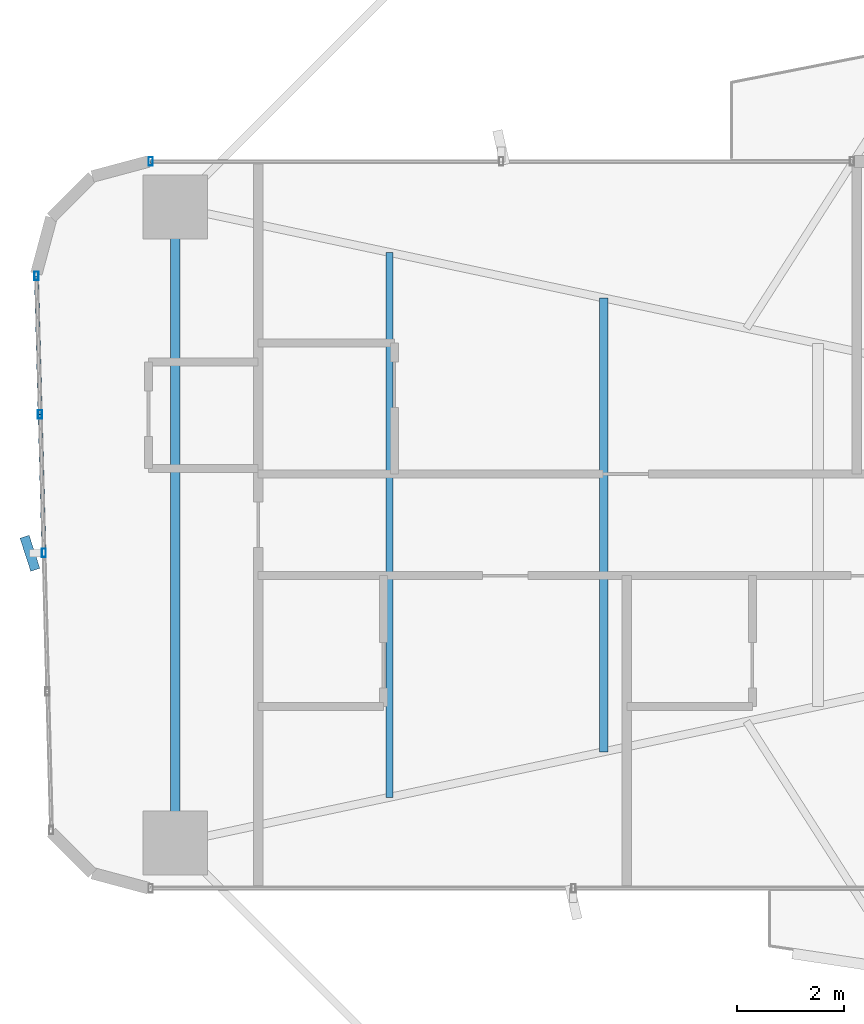
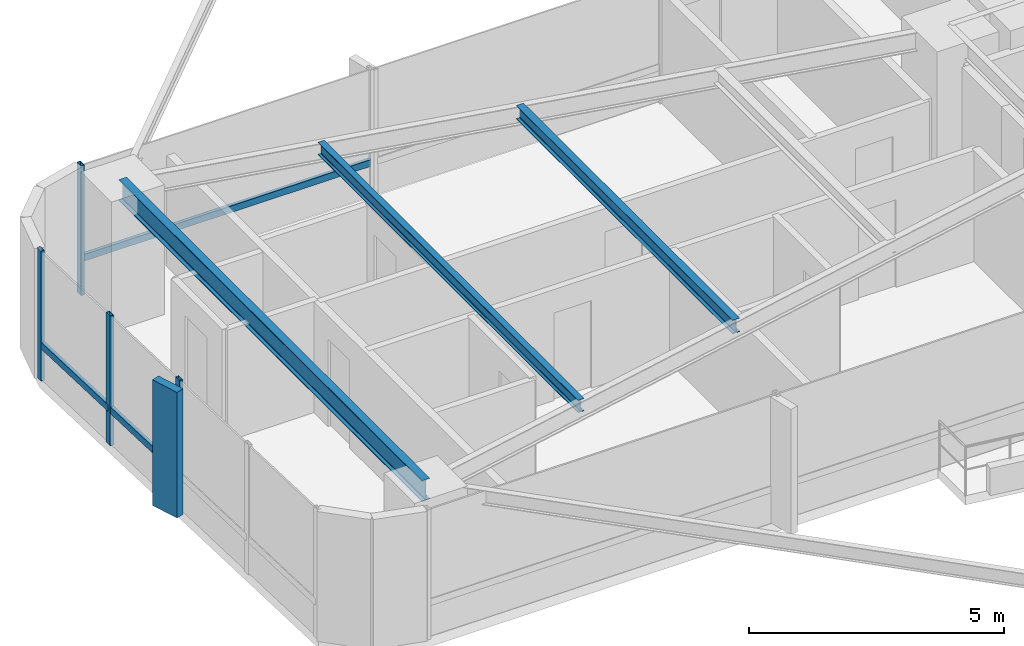
# One storey, part 8 of 26: 8 members, 3 beams, 2 elements without a shape of their own.
"""IFC4 building model written with IfcOpenShell, lengths in metres."""

from ifc_helpers import new_model, si_unit, direction, frame, origin, origin_2d, place, context, subcontext, project, spatial, rectangle, hollow_rectangle, i_section, extrude, source, transform, mapped, material, material_profile, profile_set, type_object, element, aggregate, save


model = new_model("IFC4")

# Units and contexts
model_context = context("Model", 3, precision=1e-05, world=origin(), true_north=direction((0.0, 1.0)))
body_context = subcontext(model_context, "Body", "Model", "MODEL_VIEW")
ifc_project = project(units=[si_unit("LENGTHUNIT", "METRE"), si_unit("AREAUNIT", "SQUARE_METRE"), si_unit("VOLUMEUNIT", "CUBIC_METRE"), si_unit("PLANEANGLEUNIT", "RADIAN"), si_unit("MASSUNIT", "GRAM", prefix="KILO")], contexts=[model_context])

# Site, building, storey
site_placement = place(None, origin())
site = spatial("IfcSite", under=ifc_project, at=site_placement, CompositionType="ELEMENT")
building_placement = place(site_placement, origin())
building = spatial("IfcBuilding", under=site, at=building_placement, Name="Sahyath Konkavel Grand Hotel", CompositionType="ELEMENT")
storey_placement = place(building_placement, frame((0.0, 0.0, 26.449951171875)))
storey = spatial("IfcBuildingStorey", under=building, at=storey_placement, Name="L06", CompositionType="ELEMENT", Elevation=26.449951171875)

# Beams
ifc_material_1 = material(Name="Steel E350", Category="steel")
ifc_material_profile_1 = material_profile(ifc_material_1, i_section(OverallWidth=0.179931640625, OverallDepth=0.5, WebThickness=0.01025390625, FlangeThickness=0.01708984375, FilletRadius=0.01708984375, at=origin_2d()), Name="ISMB 500")
ifc_profile_set_1 = profile_set([ifc_material_profile_1], Name="Steel E350")
beam_type_1 = type_object("IfcBeamType", Name="BM-ISMB500", PredefinedType="BEAM", material=ifc_profile_set_1)
shared_shape_1 = source(origin(), body_context, "Body", "SweptSolid", [
    extrude(i_section(OverallWidth=0.179931640625, OverallDepth=0.5, WebThickness=0.01025390625, FlangeThickness=0.01708984375, FilletRadius=0.01708984375, at=origin_2d()), origin(), (0.0, 0.0, 1.0), 11.89990234375),
])
beam_1_placement = place(storey_placement, frame((-22.199951171875, 5.949951171875, 2.860107421875), z_axis=(0.0, -1.0, 0.0), x_axis=(1.0, 0.0, 0.0)))
element("IfcBeam", 1, at=beam_1_placement, inside=storey, type_object=beam_type_1, Name="L06 Wing Tip Edge Beam W", PredefinedType="BEAM", context=body_context, shape_type="MappedRepresentation", body=[
    mapped(shared_shape_1, transform((0.0, 0.0, 0.0), scale=1.0)),
])
ifc_material_profile_2 = material_profile(ifc_material_1, i_section(OverallWidth=0.1650390625, OverallDepth=0.324951171875, WebThickness=0.007080078125, FlangeThickness=0.009765625, FilletRadius=0.014892578125, at=origin_2d()), Name="ISLB 325")
ifc_profile_set_2 = profile_set([ifc_material_profile_2], Name="Steel E350")
beam_type_2 = type_object("IfcBeamType", Name="BM-ISLB325", PredefinedType="BEAM", material=ifc_profile_set_2)
shared_shape_2 = source(origin(), body_context, "Body", "SweptSolid", [
    extrude(i_section(OverallWidth=0.1650390625, OverallDepth=0.324951171875, WebThickness=0.007080078125, FlangeThickness=0.009765625, FilletRadius=0.014892578125, at=origin_2d()), origin(), (0.0, 0.0, 1.0), 8.4921875),
])
beam_2_placement = place(storey_placement, frame((-14.18408203125, 4.24609375, 2.947509765625), z_axis=(0.0, -1.0, 0.0), x_axis=(1.0, 0.0, 0.0)))
element("IfcBeam", 2, at=beam_2_placement, inside=storey, type_object=beam_type_2, Name="L06 Secondary Floor Beam W-2", PredefinedType="BEAM", context=body_context, shape_type="MappedRepresentation", body=[
    mapped(shared_shape_2, transform((0.0, 0.0, 0.0), scale=1.0)),
])
ifc_material_profile_3 = material_profile(ifc_material_1, i_section(OverallWidth=0.139892578125, OverallDepth=0.300048828125, WebThickness=0.0078125, FlangeThickness=0.01318359375, FilletRadius=0.013916015625, at=origin_2d()), Name="ISMB 300")
ifc_profile_set_3 = profile_set([ifc_material_profile_3], Name="Steel E350")
beam_type_3 = type_object("IfcBeamType", Name="BM-ISMB300", PredefinedType="BEAM", material=ifc_profile_set_3)
shared_shape_3 = source(origin(), body_context, "Body", "SweptSolid", [
    extrude(i_section(OverallWidth=0.139892578125, OverallDepth=0.300048828125, WebThickness=0.0078125, FlangeThickness=0.01318359375, FilletRadius=0.013916015625, at=origin_2d()), origin(), (0.0, 0.0, 1.0), 10.19580078125),
])
beam_3_placement = place(storey_placement, frame((-18.19189453125, 5.097900390625, 2.9599609375), z_axis=(0.0, -1.0, 0.0), x_axis=(1.0, 0.0, 0.0)))
element("IfcBeam", 3, at=beam_3_placement, inside=storey, type_object=beam_type_3, Name="L06 Secondary Floor Beam W-3", PredefinedType="BEAM", context=body_context, shape_type="MappedRepresentation", body=[
    mapped(shared_shape_3, transform((0.0, 0.0, 0.0), scale=1.0)),
])

# Curtain wall, members
ifc_material_2 = material(Name="Anodised Bronze Aluminium & Low-E Glazing", Category="aluminium")
curtain_wall_type = type_object("IfcCurtainWallType", Name="CW-ZONE1", PredefinedType="NOTDEFINED", material=ifc_material_2)
curtain_wall_1_placement = place(storey_placement, origin())
curtain_wall_1 = element("IfcCurtainWall", 4, at=curtain_wall_1_placement, inside=storey, type_object=curtain_wall_type, Name="L06 Unitised Curtain Wall F20", PredefinedType="NOTDEFINED")
ifc_material_3 = material(Name="Warm Buff Sandstone Cladding on Concrete C50/60", Category="masonry")
ifc_material_profile_4 = material_profile(ifc_material_3, rectangle(XDim=0.179931640625, YDim=0.64990234375, at=origin_2d()), Name="FIN 180x650")
ifc_profile_set_4 = profile_set([ifc_material_profile_4], Name="Warm Buff Sandstone Cladding on Concrete C50/60")
member_type_1 = type_object("IfcMemberType", Name="FIN-SANDSTONE-650", PredefinedType="MULLION", material=ifc_profile_set_4)
shared_shape_4 = source(origin(), body_context, "Body", "SweptSolid", [
    extrude(rectangle(XDim=0.179931640625, YDim=0.64990234375, at=origin_2d()), origin(), (0.0, 0.0, 1.0), 3.010009765625),
])
member_1_placement = place(storey_placement, frame((-24.919189453125, -0.531982421875, 0.050048828125), z_axis=(0.0, 0.0, 1.0), x_axis=(0.951056516295, 0.309016994375, 0.0)))
member_1 = element("IfcMember", 5, at=member_1_placement, type_object=member_type_1, Name="L06 Sandstone Vertical Solar Fin FIN F20-2", PredefinedType="MULLION", context=body_context, shape_type="MappedRepresentation", body=[
    mapped(shared_shape_4, transform((0.0, 0.0, 0.0), scale=1.0)),
])
ifc_material_4 = material(Name="Anodised Bronze Aluminium", Category="aluminium")
ifc_material_profile_5 = material_profile(ifc_material_4, hollow_rectangle(XDim=0.080078125, YDim=0.159912109375, WallThickness=0.006103515625, at=origin_2d()), Name="RHS 160x80x6")
ifc_profile_set_5 = profile_set([ifc_material_profile_5], Name="Anodised Bronze Aluminium")
member_type_2 = type_object("IfcMemberType", Name="CW-TRN-160", PredefinedType="USERDEFINED", material=ifc_profile_set_5)
shared_shape_5 = source(origin(), body_context, "Body", "SweptSolid", [
    extrude(hollow_rectangle(XDim=0.080078125, YDim=0.159912109375, WallThickness=0.006103515625, at=origin_2d()), origin(), (0.0, 0.0, 1.0), 2.593505859375),
])
member_2_placement = place(storey_placement, frame((-24.798828125, 4.659912109375, 0.85009765625), z_axis=(0.026923093252, -0.999637507825, 0.0), x_axis=(0.999637507825, 0.026923093252, 0.0)))
member_2 = element("IfcMember", 6, at=member_2_placement, type_object=member_type_2, Name="L06 Curtain Wall Transom F20-0-spandrel", ObjectType="TRANSOM", PredefinedType="USERDEFINED", context=body_context, shape_type="MappedRepresentation", body=[
    mapped(shared_shape_5, transform((0.0, 0.0, 0.0), scale=1.0)),
])
shared_shape_6 = source(origin(), body_context, "Body", "SweptSolid", [
    extrude(hollow_rectangle(XDim=0.080078125, YDim=0.159912109375, WallThickness=0.006103515625, at=origin_2d()), origin(), (0.0, 0.0, 1.0), 2.59326171875),
])
member_3_placement = place(storey_placement, frame((-24.72900390625, 2.0673828125, 0.85009765625), z_axis=(0.026925627022, -0.99963743958, 0.0), x_axis=(0.99963743958, 0.026925627022, 0.0)))
member_3 = element("IfcMember", 7, at=member_3_placement, type_object=member_type_2, Name="L06 Curtain Wall Transom F20-1-spandrel", ObjectType="TRANSOM", PredefinedType="USERDEFINED", context=body_context, shape_type="MappedRepresentation", body=[
    mapped(shared_shape_6, transform((0.0, 0.0, 0.0), scale=1.0)),
])

# Curtain wall, member
curtain_wall_2_placement = place(storey_placement, origin())
curtain_wall_2 = element("IfcCurtainWall", 8, at=curtain_wall_2_placement, inside=storey, type_object=curtain_wall_type, Name="L06 Unitised Curtain Wall F16", PredefinedType="NOTDEFINED")
ifc_material_profile_6 = material_profile(ifc_material_4, hollow_rectangle(XDim=0.080078125, YDim=0.159912109375, WallThickness=0.006103515625, at=origin_2d()), Name="RHS 160x80x6")
ifc_profile_set_6 = profile_set([ifc_material_profile_6], Name="Anodised Bronze Aluminium")
member_type_3 = type_object("IfcMemberType", Name="CW-MUL-160", PredefinedType="MULLION", material=ifc_profile_set_6)
shared_shape_7 = source(origin(), body_context, "Body", "SweptSolid", [
    extrude(hollow_rectangle(XDim=0.080078125, YDim=0.159912109375, WallThickness=0.006103515625, at=origin_2d()), origin(), (0.0, 0.0, 1.0), 3.110107421875),
])
member_4_placement = place(storey_placement, frame((-22.659912109375, 6.800048828125, 0.0), z_axis=(0.0, 0.0, 1.0), x_axis=(1.0, 0.0, 0.0)))
member_4 = element("IfcMember", 9, at=member_4_placement, type_object=member_type_3, Name="L06 Curtain Wall Mullion F16-2", PredefinedType="MULLION", context=body_context, shape_type="MappedRepresentation", body=[
    mapped(shared_shape_7, transform((0.0, 0.0, 0.0), scale=1.0)),
])

# Member
member_5_placement = place(storey_placement, frame((-24.798828125, 4.659912109375, 0.0), z_axis=(0.0, 0.0, 1.0), x_axis=(1.0, 0.0, 0.0)))
member_5 = element("IfcMember", 10, at=member_5_placement, type_object=member_type_3, Name="L06 Curtain Wall Mullion F20-0", PredefinedType="MULLION", context=body_context, shape_type="MappedRepresentation", body=[
    mapped(shared_shape_7, transform((0.0, 0.0, 0.0), scale=1.0)),
])

member_6_placement = place(storey_placement, frame((-24.72900390625, 2.0673828125, 0.0), z_axis=(0.0, 0.0, 1.0), x_axis=(1.0, 0.0, 0.0)))
member_6 = element("IfcMember", 11, at=member_6_placement, type_object=member_type_3, Name="L06 Curtain Wall Mullion F20-1", PredefinedType="MULLION", context=body_context, shape_type="MappedRepresentation", body=[
    mapped(shared_shape_7, transform((0.0, 0.0, 0.0), scale=1.0)),
])

member_7_placement = place(storey_placement, frame((-24.6591796875, -0.52490234375, 0.0), z_axis=(0.0, 0.0, 1.0), x_axis=(1.0, 0.0, 0.0)))
member_7 = element("IfcMember", 12, at=member_7_placement, type_object=member_type_3, Name="L06 Curtain Wall Mullion F20-2", PredefinedType="MULLION", context=body_context, shape_type="MappedRepresentation", body=[
    mapped(shared_shape_7, transform((0.0, 0.0, 0.0), scale=1.0)),
])

aggregate(curtain_wall_1, [member_5, member_6, member_7, member_1, member_2, member_3])

shared_shape_8 = source(origin(), body_context, "Body", "SweptSolid", [
    extrude(hollow_rectangle(XDim=0.080078125, YDim=0.159912109375, WallThickness=0.006103515625, at=origin_2d()), origin(), (0.0, 0.0, 1.0), 6.559814453125),
])
member_8_placement = place(storey_placement, frame((-16.10009765625, 6.800048828125, 0.85009765625), z_axis=(-1.0, 0.0, 0.0), x_axis=(0.0, -1.0, 0.0)))
member_8 = element("IfcMember", 13, at=member_8_placement, type_object=member_type_2, Name="L06 Curtain Wall Transom F16-1-spandrel", ObjectType="TRANSOM", PredefinedType="USERDEFINED", context=body_context, shape_type="MappedRepresentation", body=[
    mapped(shared_shape_8, transform((0.0, 0.0, 0.0), scale=1.0)),
])

aggregate(curtain_wall_2, [member_4, member_8])

save(model, "model.ifc")
